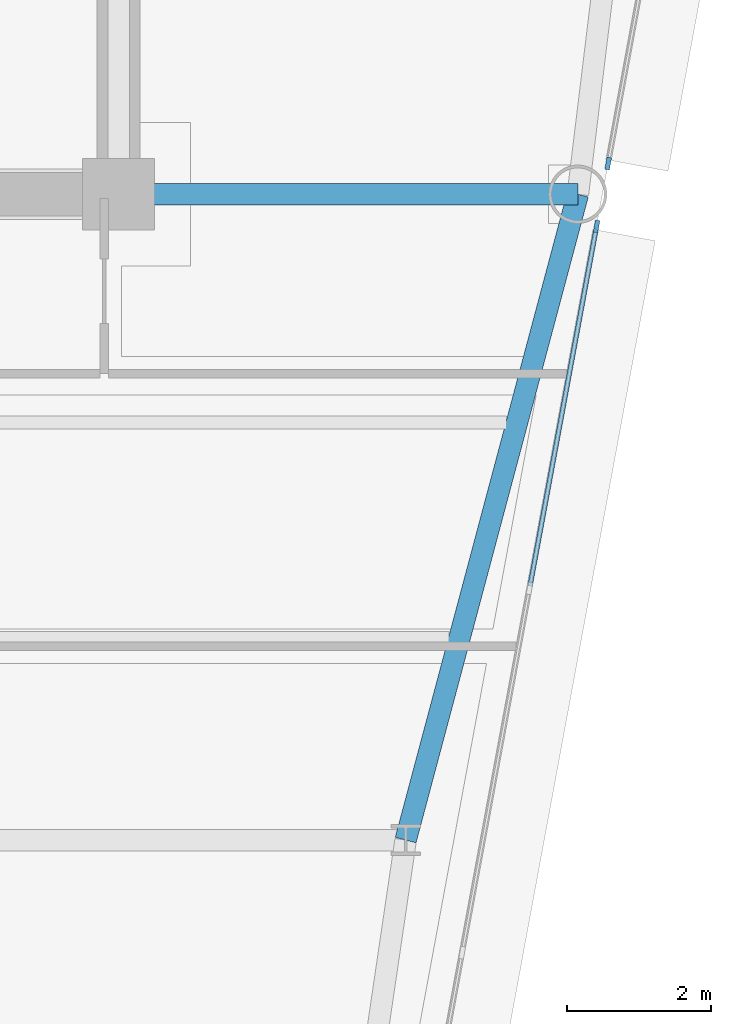
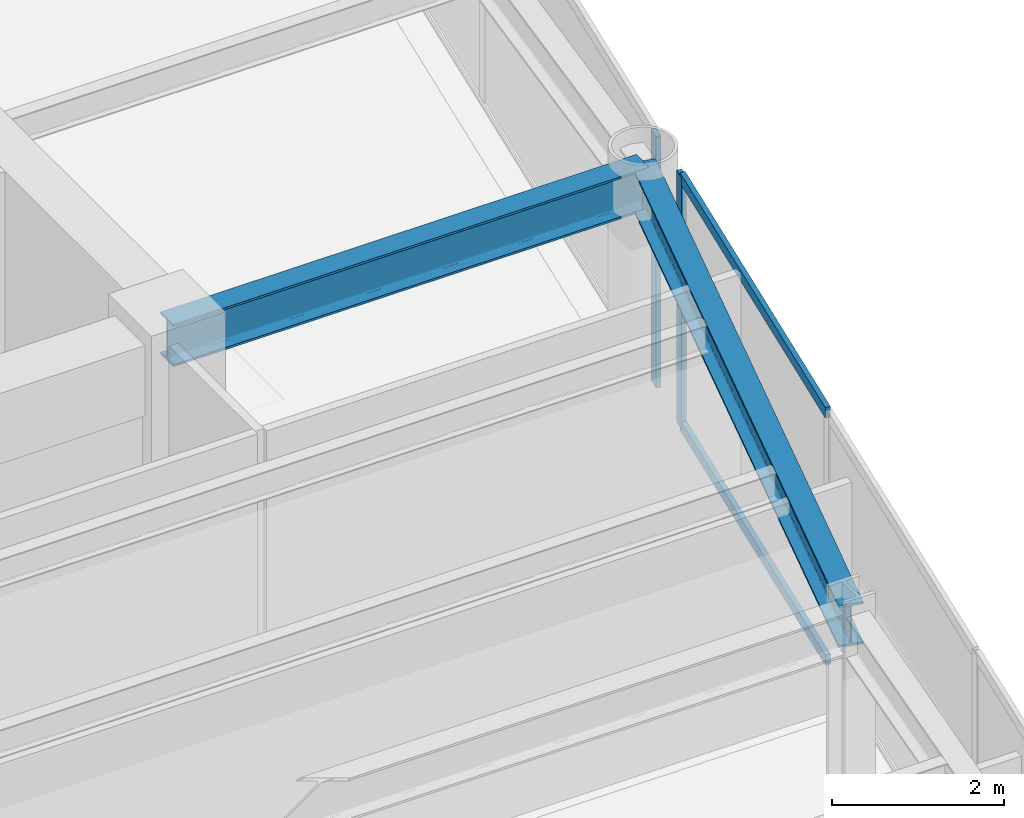
# One storey, part 6 of 16: 4 members, 2 beams, 2 elements without a shape of their own.
"""IFC4 building model written with IfcOpenShell, lengths in metres."""

import ifcopenshell
import ifcopenshell.guid

model = None  # the IFC model being written
_history = None  # IfcOwnerHistory: only IFC2X3 demands one
_inside = {}  # id of a spatial element -> (the spatial element, [elements in it])
_under = {}  # id of a project, library or spatial element -> (it, [spatial elements below it])
_declared = {}  # id of a project -> (the project, [libraries it declares])
_typed = {}  # id of a type object -> (the type object, [elements of that type])
_made_of = {}  # id of a material, layer set ... -> (it, [elements and type objects made of it])


def new_model(schema):
    """Start an empty IFC model of exactly this schema.

    Asked for "IFC4X3", IfcOpenShell would pick the latest addendum, in which some entities
    have other attributes; the version numbers below select the first issue.
    IFC2X3 requires an IfcOwnerHistory on every rooted entity: one is made here for all.
    """
    global model, _history
    if schema == "IFC4X3":
        model = ifcopenshell.file(schema_version=(4, 3, 0, 0))
    else:
        model = ifcopenshell.file(schema=schema)
    _inside.clear()
    _under.clear()
    _declared.clear()
    _typed.clear()
    _made_of.clear()
    _history = None
    if model.schema == "IFC2X3":
        org = make("IfcOrganization", Name="unknown")
        user = make(
            "IfcPersonAndOrganization",
            ThePerson=make("IfcPerson", FamilyName="unknown"),
            TheOrganization=org,
        )
        app = make(
            "IfcApplication",
            ApplicationDeveloper=org,
            Version="unknown",
            ApplicationFullName="unknown",
            ApplicationIdentifier="unknown",
        )
        _history = make(
            "IfcOwnerHistory",
            OwningUser=user,
            OwningApplication=app,
            ChangeAction="ADDED",
            CreationDate=0,
        )
    return model


def make(cls, **values):
    """One entity of the class cls with the attributes given. An attribute that is None is left unset."""
    return model.create_entity(
        cls, **{name: value for name, value in values.items() if value is not None}
    )


def rooted(cls, **values):
    """An entity with a GlobalId (a new one), such as an element, a storey or a relation."""
    return make(cls, GlobalId=ifcopenshell.guid.new(), OwnerHistory=_history, **values)


def si_unit(unit_type, name, prefix=None):
    """IfcSIUnit, for example si_unit("LENGTHUNIT", "METRE", prefix="MILLI")."""
    return make("IfcSIUnit", UnitType=unit_type, Prefix=prefix, Name=name)


def assignment(units):
    """IfcUnitAssignment: the units of a project."""
    return None if units is None else make("IfcUnitAssignment", Units=units)


def point(xyz):
    """IfcCartesianPoint."""
    return None if xyz is None else make("IfcCartesianPoint", Coordinates=xyz)


def direction(xyz):
    """IfcDirection."""
    return None if xyz is None else make("IfcDirection", DirectionRatios=xyz)


def frame(location, z_axis=None, x_axis=None):
    """IfcAxis2Placement3D, a coordinate frame: its origin and axes. An axis left out is left unset."""
    return make(
        "IfcAxis2Placement3D",
        Location=point(location),
        Axis=direction(z_axis),
        RefDirection=direction(x_axis),
    )


def frame_2d(location, x_axis=None):
    """IfcAxis2Placement2D, a coordinate frame in the plane: its origin and x axis."""
    return make(
        "IfcAxis2Placement2D", Location=point(location), RefDirection=direction(x_axis)
    )


def origin():
    """The frame at (0, 0, 0) with its axes left unset."""
    return frame((0.0, 0.0, 0.0))


def origin_2d():
    """The frame at (0, 0) in the plane with its x axis left unset."""
    return frame_2d((0.0, 0.0))


def place(relative_to, where):
    """IfcLocalPlacement: puts the frame where relative to a parent placement (None: the world)."""
    return make(
        "IfcLocalPlacement", PlacementRelTo=relative_to, RelativePlacement=where
    )


def context(
    kind, dimensions, precision=None, world=None, true_north=None, identifier=None
):
    """IfcGeometricRepresentationContext, for example the 3D "Model" context."""
    return make(
        "IfcGeometricRepresentationContext",
        ContextIdentifier=identifier,
        ContextType=kind,
        CoordinateSpaceDimension=dimensions,
        Precision=precision,
        WorldCoordinateSystem=world,
        TrueNorth=true_north,
    )


def subcontext(parent, identifier, kind, view, scale=None):
    """IfcGeometricRepresentationSubContext, for example "Body" below "Model"."""
    return make(
        "IfcGeometricRepresentationSubContext",
        ContextIdentifier=identifier,
        ContextType=kind,
        ParentContext=parent,
        TargetScale=scale,
        TargetView=view,
    )


def project(units=None, contexts=None):
    """IfcProject with its units and contexts."""
    return rooted(
        "IfcProject",
        Name="project",
        RepresentationContexts=contexts,
        UnitsInContext=assignment(units),
    )


def spatial(cls, under=None, at=None, **own):
    """A site, building, storey or space (cls), placed at a placement, below another one or the project."""
    s = rooted(cls, ObjectPlacement=at, **own)
    if under is not None:
        _under.setdefault(under.id(), (under, []))[1].append(s)
    return s


def profile(cls, at=None, kind="AREA", **sizes):
    """A parametric profile (cls). Its sizes go by their IFC names, for example OverallWidth=200.0."""
    return make(cls, ProfileType=kind, Position=at, **sizes)


def rectangle(**sizes):
    """IfcRectangleProfileDef."""
    return profile("IfcRectangleProfileDef", **sizes)


def i_section(**sizes):
    """IfcIShapeProfileDef."""
    return profile("IfcIShapeProfileDef", **sizes)


def extrude(swept, where, along, depth):
    """IfcExtrudedAreaSolid: the profile swept, set in the frame where, extruded along a direction by depth."""
    return make(
        "IfcExtrudedAreaSolid",
        SweptArea=swept,
        Position=where,
        ExtrudedDirection=direction(along),
        Depth=depth,
    )


def shape(context_of_items, identifier, shape_type, items):
    """IfcShapeRepresentation: the items that make up one representation, for example the "Body"."""
    return make(
        "IfcShapeRepresentation",
        ContextOfItems=context_of_items,
        RepresentationIdentifier=identifier,
        RepresentationType=shape_type,
        Items=items,
    )


def source(mapping_origin, context_of_items, identifier, shape_type, items):
    """IfcRepresentationMap: a shape defined once, which mapped items show again and again."""
    return make(
        "IfcRepresentationMap",
        MappingOrigin=mapping_origin,
        MappedRepresentation=shape(context_of_items, identifier, shape_type, items),
    )


def transform(
    local_origin,
    x_axis=None,
    y_axis=None,
    z_axis=None,
    scale=None,
    scale2=None,
    scale3=None,
    uniform=True,
):
    """IfcCartesianTransformationOperator3D, or its non-uniform kind. x_axis, y_axis, z_axis: its Axis1, 2, 3."""
    if uniform:
        return make(
            "IfcCartesianTransformationOperator3D",
            Axis1=direction(x_axis),
            Axis2=direction(y_axis),
            LocalOrigin=point(local_origin),
            Scale=scale,
            Axis3=direction(z_axis),
        )
    return make(
        "IfcCartesianTransformationOperator3DnonUniform",
        Axis1=direction(x_axis),
        Axis2=direction(y_axis),
        LocalOrigin=point(local_origin),
        Scale=scale,
        Axis3=direction(z_axis),
        Scale2=scale2,
        Scale3=scale3,
    )


def mapped(mapping_source, mapping_target):
    """IfcMappedItem: shows the shape of a source again, moved by a transform."""
    return make(
        "IfcMappedItem", MappingSource=mapping_source, MappingTarget=mapping_target
    )


def material(Name=None, Category=None):
    """IfcMaterial."""
    return make("IfcMaterial", Name=Name, Category=Category)


def layer(
    of_material, thickness, ventilated=None, Name=None, Category=None, Priority=None
):
    """IfcMaterialLayer: one layer of a wall or slab, of a material (None: an air gap)."""
    return make(
        "IfcMaterialLayer",
        Material=of_material,
        LayerThickness=thickness,
        IsVentilated=ventilated,
        Name=Name,
        Category=Category,
        Priority=Priority,
    )


def layer_set(layers, Name=None):
    """IfcMaterialLayerSet."""
    return make("IfcMaterialLayerSet", MaterialLayers=layers, LayerSetName=Name)


def material_profile(
    of_material, cross_section, Name=None, Category=None, Priority=None
):
    """IfcMaterialProfile: a cross section and its material."""
    return make(
        "IfcMaterialProfile",
        Name=Name,
        Material=of_material,
        Profile=cross_section,
        Priority=Priority,
        Category=Category,
    )


def profile_set(profiles, Name=None, composite=None):
    """IfcMaterialProfileSet."""
    return make(
        "IfcMaterialProfileSet",
        Name=Name,
        MaterialProfiles=profiles,
        CompositeProfile=composite,
    )


def made_of(thing, what):
    """Note that an element or type object is made of a material, layer set ...; save() writes the relation."""
    if what is not None:
        _made_of.setdefault(what.id(), (what, []))[1].append(thing)
    return thing


def type_object(cls, material=None, **own):
    """A type object (cls), such as IfcWallType, which elements share."""
    return made_of(rooted(cls, **own), material)


def element(
    cls,
    number,
    at=None,
    inside=None,
    cuts=None,
    type_object=None,
    material=None,
    context=None,
    identifier="Body",
    shape_type=None,
    held_by="IfcProductDefinitionShape",
    body=None,
    shapes=None,
    **own,
):
    """One element of the class cls, such as IfcWall. Its Tag is "e" and its number.

    at: its placement. inside: the storey or other place that contains it. cuts: it is an
    opening in that element (IfcRelVoidsElement). A single representation is given by context,
    identifier, shape_type and body (its items); several are given by shapes. held_by: the class
    of the entity that holds the representations. save() writes the other relations.
    """
    e = rooted(cls, Tag="e%d" % number, ObjectPlacement=at, **own)
    if body is not None:
        shapes = [shape(context, identifier, shape_type, body)]
    if shapes is not None:
        e.Representation = make(held_by, Representations=shapes)
    if inside is not None:
        _inside.setdefault(inside.id(), (inside, []))[1].append(e)
    if cuts is not None:
        rooted(
            "IfcRelVoidsElement", RelatingBuildingElement=cuts, RelatedOpeningElement=e
        )
    if type_object is not None:
        _typed.setdefault(type_object.id(), (type_object, []))[1].append(e)
    return made_of(e, material)


def aggregate(whole, parts):
    """IfcRelAggregates: a whole, such as a stair, and the parts it consists of."""
    return rooted("IfcRelAggregates", RelatingObject=whole, RelatedObjects=parts)


def save(model, path):
    """Write the relations noted so far, then the file.

    IfcRelAggregates (storeys below a building ...), IfcRelContainedInSpatialStructure (elements
    in a storey), IfcRelDefinesByType, IfcRelAssociatesMaterial and IfcRelDeclares: one each for
    every whole, place, type object, material and project.
    """
    for whole, parts in _under.values():
        aggregate(whole, parts)
    for where, things in _inside.values():
        rooted(
            "IfcRelContainedInSpatialStructure",
            RelatedElements=things,
            RelatingStructure=where,
        )
    for kind, things in _typed.values():
        rooted("IfcRelDefinesByType", RelatedObjects=things, RelatingType=kind)
    for what, things in _made_of.values():
        rooted("IfcRelAssociatesMaterial", RelatedObjects=things, RelatingMaterial=what)
    for by, libraries in _declared.values():
        rooted("IfcRelDeclares", RelatingContext=by, RelatedDefinitions=libraries)
    model.write(path)


model = new_model("IFC4")

# Units and contexts
model_context = context("Model", 3, precision=1e-05, world=origin(), true_north=direction((0.0, 1.0)))
body_context = subcontext(model_context, "Body", "Model", "MODEL_VIEW")
ifc_project = project(units=[si_unit("LENGTHUNIT", "METRE"), si_unit("AREAUNIT", "SQUARE_METRE"), si_unit("VOLUMEUNIT", "CUBIC_METRE"), si_unit("PLANEANGLEUNIT", "RADIAN"), si_unit("MASSUNIT", "GRAM", prefix="KILO")], contexts=[model_context])

# Site, building, storey
site_placement = place(None, origin())
site = spatial("IfcSite", under=ifc_project, at=site_placement, CompositionType="ELEMENT")
building_placement = place(site_placement, origin())
building = spatial("IfcBuilding", under=site, at=building_placement, Name="Vaeldorn Concourse Tower", CompositionType="ELEMENT")
storey_placement = place(building_placement, frame((0.0, 0.0, 207.0)))
storey = spatial("IfcBuildingStorey", under=building, at=storey_placement, Name="L53", CompositionType="ELEMENT", Elevation=207.0)

# Beams
ifc_material_1 = material(Name="Steel S355", Category="steel")
ifc_material_profile_1 = material_profile(ifc_material_1, i_section(OverallWidth=0.300048828125, OverallDepth=0.60009765625, WebThickness=0.015380859375, FlangeThickness=0.030029296875, FilletRadius=0.027099609375, at=origin_2d()), Name="HEB 600")
ifc_profile_set_1 = profile_set([ifc_material_profile_1], Name="Steel S355")
beam_type = type_object("IfcBeamType", Name="BM-PG-HEB600", PredefinedType="BEAM", material=ifc_profile_set_1)
shared_shape_1 = source(origin(), body_context, "Body", "SweptSolid", [
    extrude(i_section(OverallWidth=0.300048828125, OverallDepth=0.60009765625, WebThickness=0.015380859375, FlangeThickness=0.030029296875, FilletRadius=0.027099609375, at=origin_2d()), origin(), (0.0, 0.0, 1.0), 6.39990234375),
])
beam_1_placement = place(storey_placement, frame((54.0, 36.5, 3.280029296875), z_axis=(1.0, 0.0, 0.0), x_axis=(0.0, 1.0, 0.0)))
element("IfcBeam", 1, at=beam_1_placement, inside=storey, type_object=beam_type, Name="Beam BM-L53-C-FC6-C-NE2", PredefinedType="BEAM", context=body_context, shape_type="MappedRepresentation", body=[
    mapped(shared_shape_1, transform((0.0, 0.0, 0.0), scale=1.0)),
])
shared_shape_2 = source(origin(), body_context, "Body", "SweptSolid", [
    extrude(i_section(OverallWidth=0.300048828125, OverallDepth=0.60009765625, WebThickness=0.015380859375, FlangeThickness=0.030029296875, FilletRadius=0.027099609375, at=origin_2d()), origin(), (0.0, 0.0, 1.0), 9.314453125),
])
beam_2_placement = place(storey_placement, frame((60.39990234375, 36.5, 3.280029296875), z_axis=(-0.257652862255, -0.966237549763, 0.0), x_axis=(0.966237549763, -0.257652862255, 0.0)))
element("IfcBeam", 2, at=beam_2_placement, inside=storey, type_object=beam_type, Name="Beam BM-L53-C-NE2-C-FLE1", PredefinedType="BEAM", context=body_context, shape_type="MappedRepresentation", body=[
    mapped(shared_shape_2, transform((0.0, 0.0, 0.0), scale=1.0)),
])

# Curtain wall, member
ifc_material_2 = material(Name="Anodised Bronze Aluminium", Category="aluminium")
ifc_layer = layer(ifc_material_2, 0.2099609375)
ifc_layer_set = layer_set([ifc_layer], Name="Anodised Bronze Aluminium")
curtain_wall_type = type_object("IfcCurtainWallType", Name="CW-SYS-06", PredefinedType="NOTDEFINED", material=ifc_layer_set)
curtain_wall_1_placement = place(storey_placement, origin())
curtain_wall_1 = element("IfcCurtainWall", 3, at=curtain_wall_1_placement, inside=storey, type_object=curtain_wall_type, Name="Unitised Curtain Wall CW-L53-E07-1", PredefinedType="NOTDEFINED")
ifc_material_profile_2 = material_profile(ifc_material_2, rectangle(XDim=0.06494140625, YDim=0.169921875, at=origin_2d()), Name="CWM 65x170")
ifc_profile_set_2 = profile_set([ifc_material_profile_2], Name="Anodised Bronze Aluminium")
member_type_1 = type_object("IfcMemberType", Name="CWM-BRONZE-170", PredefinedType="MULLION", material=ifc_profile_set_2)
shared_shape_3 = source(origin(), body_context, "Body", "SweptSolid", [
    extrude(rectangle(XDim=0.06494140625, YDim=0.169921875, at=origin_2d()), origin(), (0.0, 0.0, 1.0), 3.580078125),
])
member_1_placement = place(storey_placement, frame((60.660400390625, 36.051513671875, 0.0), z_axis=(0.0, 0.0, 1.0), x_axis=(-0.983319079021, 0.181888946432, 0.0)))
member_1 = element("IfcMember", 4, at=member_1_placement, type_object=member_type_1, Name="CW-06 mullion 6", PredefinedType="MULLION", context=body_context, shape_type="MappedRepresentation", body=[
    mapped(shared_shape_3, transform((0.0, 0.0, 0.0), scale=1.0)),
])

curtain_wall_2_placement = place(storey_placement, origin())
curtain_wall_2 = element("IfcCurtainWall", 5, at=curtain_wall_2_placement, inside=storey, type_object=curtain_wall_type, Name="Unitised Curtain Wall CW-L53-E07-2", PredefinedType="NOTDEFINED")
member_2_placement = place(storey_placement, frame((60.822509765625, 36.927490234375, 0.0), z_axis=(0.0, 0.0, 1.0), x_axis=(-0.983319270992, 0.181887908602, 0.0)))
member_2 = element("IfcMember", 6, at=member_2_placement, type_object=member_type_1, Name="CW-06 mullion 1", PredefinedType="MULLION", context=body_context, shape_type="MappedRepresentation", body=[
    mapped(shared_shape_3, transform((0.0, 0.0, 0.0), scale=1.0)),
])
aggregate(curtain_wall_2, [member_2])

# Member
ifc_material_profile_3 = material_profile(ifc_material_2, rectangle(XDim=0.06494140625, YDim=0.14990234375, at=origin_2d()), Name="CWT 65x150")
ifc_profile_set_3 = profile_set([ifc_material_profile_3], Name="Anodised Bronze Aluminium")
member_type_2 = type_object("IfcMemberType", Name="CWT-BRONZE-150", PredefinedType="USERDEFINED", material=ifc_profile_set_3)
shared_shape_4 = source(origin(), body_context, "Body", "SweptSolid", [
    extrude(rectangle(XDim=0.06494140625, YDim=0.14990234375, at=origin_2d()), origin(), (0.0, 0.0, 1.0), 5.065185546875),
])
member_3_placement = place(storey_placement, frame((59.733154296875, 31.038818359375, 0.032470703125), z_axis=(0.181904577794, 0.983316187489, 0.0), x_axis=(-0.983316187489, 0.181904577794, 0.0)))
member_3 = element("IfcMember", 7, at=member_3_placement, type_object=member_type_2, Name="CW-06 transom 5.1", ObjectType="TRANSOM", PredefinedType="USERDEFINED", context=body_context, shape_type="MappedRepresentation", body=[
    mapped(shared_shape_4, transform((0.0, 0.0, 0.0), scale=1.0)),
])

member_4_placement = place(storey_placement, frame((59.733154296875, 31.038818359375, 3.547607421875), z_axis=(0.181904577794, 0.983316187489, 0.0), x_axis=(-0.983316187489, 0.181904577794, 0.0)))
member_4 = element("IfcMember", 8, at=member_4_placement, type_object=member_type_2, Name="CW-06 transom 5.2", ObjectType="TRANSOM", PredefinedType="USERDEFINED", context=body_context, shape_type="MappedRepresentation", body=[
    mapped(shared_shape_4, transform((0.0, 0.0, 0.0), scale=1.0)),
])

aggregate(curtain_wall_1, [member_1, member_3, member_4])

save(model, "model.ifc")
